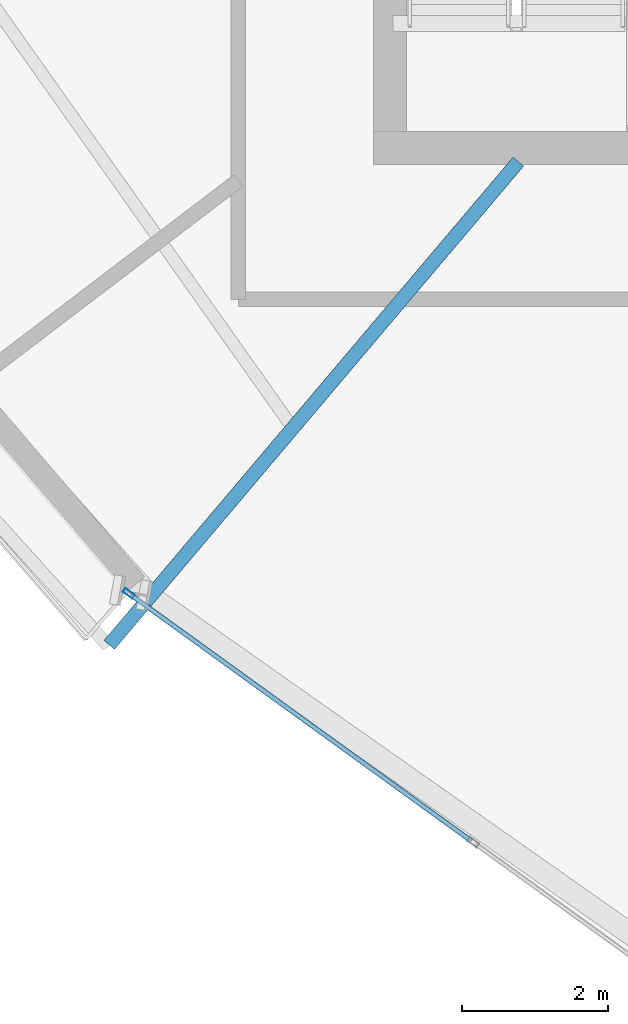
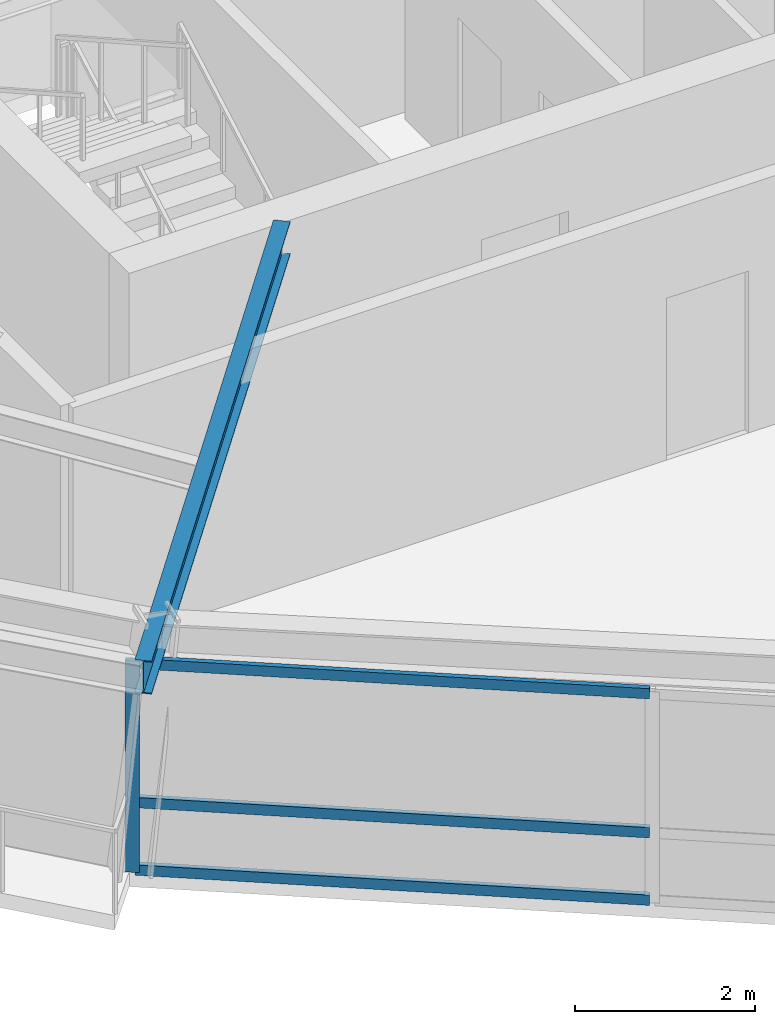
# One storey, part 2 of 14: 4 members, 1 beam, 1 element without a shape of its own.
"""IFC4 building model written with IfcOpenShell, lengths in metres."""

import ifcopenshell
import ifcopenshell.guid

model = None  # the IFC model being written
_history = None  # IfcOwnerHistory: only IFC2X3 demands one
_inside = {}  # id of a spatial element -> (the spatial element, [elements in it])
_under = {}  # id of a project, library or spatial element -> (it, [spatial elements below it])
_declared = {}  # id of a project -> (the project, [libraries it declares])
_typed = {}  # id of a type object -> (the type object, [elements of that type])
_made_of = {}  # id of a material, layer set ... -> (it, [elements and type objects made of it])


def new_model(schema):
    """Start an empty IFC model of exactly this schema.

    Asked for "IFC4X3", IfcOpenShell would pick the latest addendum, in which some entities
    have other attributes; the version numbers below select the first issue.
    IFC2X3 requires an IfcOwnerHistory on every rooted entity: one is made here for all.
    """
    global model, _history
    if schema == "IFC4X3":
        model = ifcopenshell.file(schema_version=(4, 3, 0, 0))
    else:
        model = ifcopenshell.file(schema=schema)
    _inside.clear()
    _under.clear()
    _declared.clear()
    _typed.clear()
    _made_of.clear()
    _history = None
    if model.schema == "IFC2X3":
        org = make("IfcOrganization", Name="unknown")
        user = make(
            "IfcPersonAndOrganization",
            ThePerson=make("IfcPerson", FamilyName="unknown"),
            TheOrganization=org,
        )
        app = make(
            "IfcApplication",
            ApplicationDeveloper=org,
            Version="unknown",
            ApplicationFullName="unknown",
            ApplicationIdentifier="unknown",
        )
        _history = make(
            "IfcOwnerHistory",
            OwningUser=user,
            OwningApplication=app,
            ChangeAction="ADDED",
            CreationDate=0,
        )
    return model


def make(cls, **values):
    """One entity of the class cls with the attributes given. An attribute that is None is left unset."""
    return model.create_entity(
        cls, **{name: value for name, value in values.items() if value is not None}
    )


def rooted(cls, **values):
    """An entity with a GlobalId (a new one), such as an element, a storey or a relation."""
    return make(cls, GlobalId=ifcopenshell.guid.new(), OwnerHistory=_history, **values)


def si_unit(unit_type, name, prefix=None):
    """IfcSIUnit, for example si_unit("LENGTHUNIT", "METRE", prefix="MILLI")."""
    return make("IfcSIUnit", UnitType=unit_type, Prefix=prefix, Name=name)


def assignment(units):
    """IfcUnitAssignment: the units of a project."""
    return None if units is None else make("IfcUnitAssignment", Units=units)


def point(xyz):
    """IfcCartesianPoint."""
    return None if xyz is None else make("IfcCartesianPoint", Coordinates=xyz)


def direction(xyz):
    """IfcDirection."""
    return None if xyz is None else make("IfcDirection", DirectionRatios=xyz)


def frame(location, z_axis=None, x_axis=None):
    """IfcAxis2Placement3D, a coordinate frame: its origin and axes. An axis left out is left unset."""
    return make(
        "IfcAxis2Placement3D",
        Location=point(location),
        Axis=direction(z_axis),
        RefDirection=direction(x_axis),
    )


def frame_2d(location, x_axis=None):
    """IfcAxis2Placement2D, a coordinate frame in the plane: its origin and x axis."""
    return make(
        "IfcAxis2Placement2D", Location=point(location), RefDirection=direction(x_axis)
    )


def origin():
    """The frame at (0, 0, 0) with its axes left unset."""
    return frame((0.0, 0.0, 0.0))


def origin_2d():
    """The frame at (0, 0) in the plane with its x axis left unset."""
    return frame_2d((0.0, 0.0))


def place(relative_to, where):
    """IfcLocalPlacement: puts the frame where relative to a parent placement (None: the world)."""
    return make(
        "IfcLocalPlacement", PlacementRelTo=relative_to, RelativePlacement=where
    )


def context(
    kind, dimensions, precision=None, world=None, true_north=None, identifier=None
):
    """IfcGeometricRepresentationContext, for example the 3D "Model" context."""
    return make(
        "IfcGeometricRepresentationContext",
        ContextIdentifier=identifier,
        ContextType=kind,
        CoordinateSpaceDimension=dimensions,
        Precision=precision,
        WorldCoordinateSystem=world,
        TrueNorth=true_north,
    )


def subcontext(parent, identifier, kind, view, scale=None):
    """IfcGeometricRepresentationSubContext, for example "Body" below "Model"."""
    return make(
        "IfcGeometricRepresentationSubContext",
        ContextIdentifier=identifier,
        ContextType=kind,
        ParentContext=parent,
        TargetScale=scale,
        TargetView=view,
    )


def project(units=None, contexts=None):
    """IfcProject with its units and contexts."""
    return rooted(
        "IfcProject",
        Name="project",
        RepresentationContexts=contexts,
        UnitsInContext=assignment(units),
    )


def spatial(cls, under=None, at=None, **own):
    """A site, building, storey or space (cls), placed at a placement, below another one or the project."""
    s = rooted(cls, ObjectPlacement=at, **own)
    if under is not None:
        _under.setdefault(under.id(), (under, []))[1].append(s)
    return s


def profile(cls, at=None, kind="AREA", **sizes):
    """A parametric profile (cls). Its sizes go by their IFC names, for example OverallWidth=200.0."""
    return make(cls, ProfileType=kind, Position=at, **sizes)


def hollow_rectangle(**sizes):
    """IfcRectangleHollowProfileDef."""
    return profile("IfcRectangleHollowProfileDef", **sizes)


def i_section(**sizes):
    """IfcIShapeProfileDef."""
    return profile("IfcIShapeProfileDef", **sizes)


def extrude(swept, where, along, depth):
    """IfcExtrudedAreaSolid: the profile swept, set in the frame where, extruded along a direction by depth."""
    return make(
        "IfcExtrudedAreaSolid",
        SweptArea=swept,
        Position=where,
        ExtrudedDirection=direction(along),
        Depth=depth,
    )


def shape(context_of_items, identifier, shape_type, items):
    """IfcShapeRepresentation: the items that make up one representation, for example the "Body"."""
    return make(
        "IfcShapeRepresentation",
        ContextOfItems=context_of_items,
        RepresentationIdentifier=identifier,
        RepresentationType=shape_type,
        Items=items,
    )


def source(mapping_origin, context_of_items, identifier, shape_type, items):
    """IfcRepresentationMap: a shape defined once, which mapped items show again and again."""
    return make(
        "IfcRepresentationMap",
        MappingOrigin=mapping_origin,
        MappedRepresentation=shape(context_of_items, identifier, shape_type, items),
    )


def transform(
    local_origin,
    x_axis=None,
    y_axis=None,
    z_axis=None,
    scale=None,
    scale2=None,
    scale3=None,
    uniform=True,
):
    """IfcCartesianTransformationOperator3D, or its non-uniform kind. x_axis, y_axis, z_axis: its Axis1, 2, 3."""
    if uniform:
        return make(
            "IfcCartesianTransformationOperator3D",
            Axis1=direction(x_axis),
            Axis2=direction(y_axis),
            LocalOrigin=point(local_origin),
            Scale=scale,
            Axis3=direction(z_axis),
        )
    return make(
        "IfcCartesianTransformationOperator3DnonUniform",
        Axis1=direction(x_axis),
        Axis2=direction(y_axis),
        LocalOrigin=point(local_origin),
        Scale=scale,
        Axis3=direction(z_axis),
        Scale2=scale2,
        Scale3=scale3,
    )


def mapped(mapping_source, mapping_target):
    """IfcMappedItem: shows the shape of a source again, moved by a transform."""
    return make(
        "IfcMappedItem", MappingSource=mapping_source, MappingTarget=mapping_target
    )


def material(Name=None, Category=None):
    """IfcMaterial."""
    return make("IfcMaterial", Name=Name, Category=Category)


def material_profile(
    of_material, cross_section, Name=None, Category=None, Priority=None
):
    """IfcMaterialProfile: a cross section and its material."""
    return make(
        "IfcMaterialProfile",
        Name=Name,
        Material=of_material,
        Profile=cross_section,
        Priority=Priority,
        Category=Category,
    )


def profile_set(profiles, Name=None, composite=None):
    """IfcMaterialProfileSet."""
    return make(
        "IfcMaterialProfileSet",
        Name=Name,
        MaterialProfiles=profiles,
        CompositeProfile=composite,
    )


def made_of(thing, what):
    """Note that an element or type object is made of a material, layer set ...; save() writes the relation."""
    if what is not None:
        _made_of.setdefault(what.id(), (what, []))[1].append(thing)
    return thing


def type_object(cls, material=None, **own):
    """A type object (cls), such as IfcWallType, which elements share."""
    return made_of(rooted(cls, **own), material)


def element(
    cls,
    number,
    at=None,
    inside=None,
    cuts=None,
    type_object=None,
    material=None,
    context=None,
    identifier="Body",
    shape_type=None,
    held_by="IfcProductDefinitionShape",
    body=None,
    shapes=None,
    **own,
):
    """One element of the class cls, such as IfcWall. Its Tag is "e" and its number.

    at: its placement. inside: the storey or other place that contains it. cuts: it is an
    opening in that element (IfcRelVoidsElement). A single representation is given by context,
    identifier, shape_type and body (its items); several are given by shapes. held_by: the class
    of the entity that holds the representations. save() writes the other relations.
    """
    e = rooted(cls, Tag="e%d" % number, ObjectPlacement=at, **own)
    if body is not None:
        shapes = [shape(context, identifier, shape_type, body)]
    if shapes is not None:
        e.Representation = make(held_by, Representations=shapes)
    if inside is not None:
        _inside.setdefault(inside.id(), (inside, []))[1].append(e)
    if cuts is not None:
        rooted(
            "IfcRelVoidsElement", RelatingBuildingElement=cuts, RelatedOpeningElement=e
        )
    if type_object is not None:
        _typed.setdefault(type_object.id(), (type_object, []))[1].append(e)
    return made_of(e, material)


def aggregate(whole, parts):
    """IfcRelAggregates: a whole, such as a stair, and the parts it consists of."""
    return rooted("IfcRelAggregates", RelatingObject=whole, RelatedObjects=parts)


def save(model, path):
    """Write the relations noted so far, then the file.

    IfcRelAggregates (storeys below a building ...), IfcRelContainedInSpatialStructure (elements
    in a storey), IfcRelDefinesByType, IfcRelAssociatesMaterial and IfcRelDeclares: one each for
    every whole, place, type object, material and project.
    """
    for whole, parts in _under.values():
        aggregate(whole, parts)
    for where, things in _inside.values():
        rooted(
            "IfcRelContainedInSpatialStructure",
            RelatedElements=things,
            RelatingStructure=where,
        )
    for kind, things in _typed.values():
        rooted("IfcRelDefinesByType", RelatedObjects=things, RelatingType=kind)
    for what, things in _made_of.values():
        rooted("IfcRelAssociatesMaterial", RelatedObjects=things, RelatingMaterial=what)
    for by, libraries in _declared.values():
        rooted("IfcRelDeclares", RelatingContext=by, RelatedDefinitions=libraries)
    model.write(path)


model = new_model("IFC4")

# Units and contexts
model_context = context("Model", 3, precision=1e-05, world=origin(), true_north=direction((0.0, 1.0)))
body_context = subcontext(model_context, "Body", "Model", "MODEL_VIEW")
ifc_project = project(units=[si_unit("LENGTHUNIT", "METRE"), si_unit("AREAUNIT", "SQUARE_METRE"), si_unit("VOLUMEUNIT", "CUBIC_METRE"), si_unit("PLANEANGLEUNIT", "RADIAN"), si_unit("MASSUNIT", "GRAM", prefix="KILO")], contexts=[model_context])

# Site, building, storey
site_placement = place(None, origin())
site = spatial("IfcSite", under=ifc_project, at=site_placement, CompositionType="ELEMENT")
building_placement = place(site_placement, origin())
building = spatial("IfcBuilding", under=site, at=building_placement, Name="Olszyna Solenne Hotel", CompositionType="ELEMENT")
storey_placement = place(building_placement, frame((0.0, 0.0, 234.5)))
storey = spatial("IfcBuildingStorey", under=building, at=storey_placement, Name="L62", CompositionType="ELEMENT", Elevation=234.5)

# Beam
ifc_material_1 = material(Name="Steel S355J2", Category="steel")
ifc_material_profile_1 = material_profile(ifc_material_1, i_section(OverallWidth=0.18994140625, OverallDepth=0.449951171875, WebThickness=0.009521484375, FlangeThickness=0.0146484375, at=origin_2d()), Name="IPE 450", Category="load-bearing")
ifc_profile_set_1 = profile_set([ifc_material_profile_1], Name="Steel S355J2")
beam_type = type_object("IfcBeamType", Name="BM-F4", PredefinedType="BEAM", material=ifc_profile_set_1)
shared_shape_1 = source(origin(), body_context, "Body", "SweptSolid", [
    extrude(i_section(OverallWidth=0.18994140625, OverallDepth=0.449951171875, WebThickness=0.009521484375, FlangeThickness=0.0146484375, at=origin_2d()), origin(), (0.0, 0.0, 1.0), 8.677978515625),
])
beam_placement = place(storey_placement, frame((26.029052734375, 12.46484375, 3.155029296875), z_axis=(0.646117526211, 0.763237932969, 0.0), x_axis=(-0.763237932969, 0.646117526211, 0.0)))
element("IfcBeam", 1, at=beam_placement, inside=storey, type_object=beam_type, Name="Radial floor girder BM-F4 B-L62-1842", PredefinedType="BEAM", context=body_context, shape_type="MappedRepresentation", body=[
    mapped(shared_shape_1, transform((0.0, 0.0, 0.0), x_axis=(1.0, 0.0, 0.0), y_axis=(0.0, 1.0, 0.0), z_axis=(0.0, 0.0, 1.0), scale=1.0)),
])

# Curtain wall, members
ifc_material_2 = material(Name="Anodised bronze aluminium", Category="aluminium")
curtain_wall_type = type_object("IfcCurtainWallType", Name="CW-SYS-4", PredefinedType="NOTDEFINED", material=ifc_material_2)
curtain_wall_placement = place(storey_placement, origin())
curtain_wall = element("IfcCurtainWall", 2, at=curtain_wall_placement, inside=storey, type_object=curtain_wall_type, Name="Unitised curtain wall CW-SYS-4 CW-L62-01", PredefinedType="NOTDEFINED")
ifc_material_profile_2 = material_profile(ifc_material_2, hollow_rectangle(XDim=0.06494140625, YDim=0.159912109375, WallThickness=0.00390625, at=origin_2d()), Name="MULL 160x65x4", Category="load-bearing")
ifc_profile_set_2 = profile_set([ifc_material_profile_2], Name="Anodised bronze aluminium")
member_type_1 = type_object("IfcMemberType", Name="CW-M3", PredefinedType="MULLION", material=ifc_profile_set_2)
shared_shape_2 = source(origin(), body_context, "Body", "SweptSolid", [
    extrude(hollow_rectangle(XDim=0.06494140625, YDim=0.159912109375, WallThickness=0.00390625, at=origin_2d()), origin(), (0.0, 0.0, 1.0), 2.8720703125),
])
member_1_placement = place(storey_placement, frame((26.297607421875, 13.170654296875, 0.0), z_axis=(0.0, 0.0, 1.0), x_axis=(0.585789345427, 0.810463350673, 0.0)))
member_1 = element("IfcMember", 3, at=member_1_placement, type_object=member_type_1, Name="Curtain-wall mullion CW-M3 CM-L62-01-01", PredefinedType="MULLION", context=body_context, shape_type="MappedRepresentation", body=[
    mapped(shared_shape_2, transform((0.0, 0.0, 0.0), x_axis=(1.0, 0.0, 0.0), y_axis=(0.0, 1.0, 0.0), z_axis=(0.0, 0.0, 1.0), scale=1.0)),
])
ifc_material_profile_3 = material_profile(ifc_material_2, hollow_rectangle(XDim=0.06494140625, YDim=0.139892578125, WallThickness=0.00390625, at=origin_2d()), Name="TRAN 140x65x4", Category="load-bearing")
ifc_profile_set_3 = profile_set([ifc_material_profile_3], Name="Anodised bronze aluminium")
member_type_2 = type_object("IfcMemberType", Name="CW-T2", PredefinedType="USERDEFINED", material=ifc_profile_set_3)
shared_shape_3 = source(origin(), body_context, "Body", "SweptSolid", [
    extrude(hollow_rectangle(XDim=0.06494140625, YDim=0.139892578125, WallThickness=0.00390625, at=origin_2d()), origin(), (0.0, 0.0, 1.0), 5.7587890625),
])
member_2_placement = place(storey_placement, frame((26.323974609375, 13.151611328125, 0.032470703125), z_axis=(0.810452233199, -0.585804726596, 0.0), x_axis=(0.585804726596, 0.810452233199, 0.0)))
member_2 = element("IfcMember", 4, at=member_2_placement, type_object=member_type_2, Name="Curtain-wall transom CW-T2 CT-L62-01-01", ObjectType="TRANSOM", PredefinedType="USERDEFINED", context=body_context, shape_type="MappedRepresentation", body=[
    mapped(shared_shape_3, transform((0.0, 0.0, 0.0), x_axis=(1.0, 0.0, 0.0), y_axis=(0.0, 1.0, 0.0), z_axis=(0.0, 0.0, 1.0), scale=1.0)),
])
member_3_placement = place(storey_placement, frame((26.323974609375, 13.151611328125, 0.949951171875), z_axis=(0.810452233199, -0.585804726596, 0.0), x_axis=(0.585804726596, 0.810452233199, 0.0)))
member_3 = element("IfcMember", 5, at=member_3_placement, type_object=member_type_2, Name="Curtain-wall transom CW-T2 CT-L62-01-02", ObjectType="TRANSOM", PredefinedType="USERDEFINED", context=body_context, shape_type="MappedRepresentation", body=[
    mapped(shared_shape_3, transform((0.0, 0.0, 0.0), x_axis=(1.0, 0.0, 0.0), y_axis=(0.0, 1.0, 0.0), z_axis=(0.0, 0.0, 1.0), scale=1.0)),
])
member_4_placement = place(storey_placement, frame((26.323974609375, 13.151611328125, 2.839599609375), z_axis=(0.810452233199, -0.585804726596, 0.0), x_axis=(0.585804726596, 0.810452233199, 0.0)))
member_4 = element("IfcMember", 6, at=member_4_placement, type_object=member_type_2, Name="Curtain-wall transom CW-T2 CT-L62-01-03", ObjectType="TRANSOM", PredefinedType="USERDEFINED", context=body_context, shape_type="MappedRepresentation", body=[
    mapped(shared_shape_3, transform((0.0, 0.0, 0.0), x_axis=(1.0, 0.0, 0.0), y_axis=(0.0, 1.0, 0.0), z_axis=(0.0, 0.0, 1.0), scale=1.0)),
])
aggregate(curtain_wall, [member_1, member_2, member_3, member_4])

save(model, "model.ifc")
